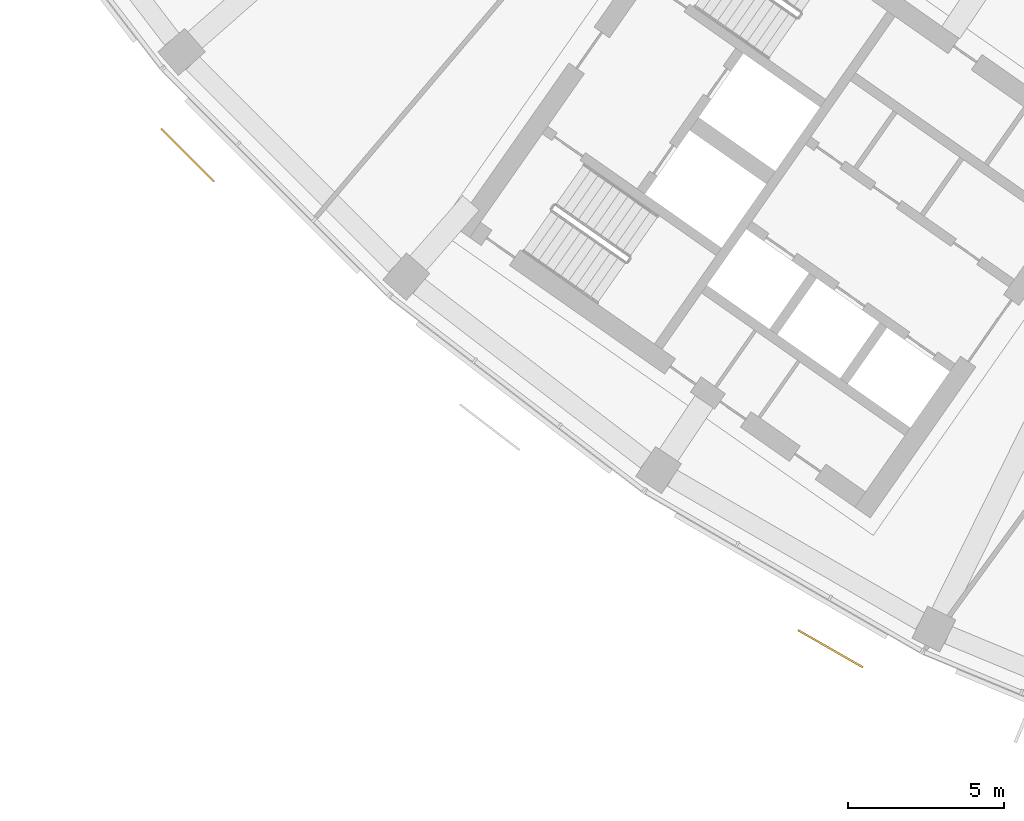
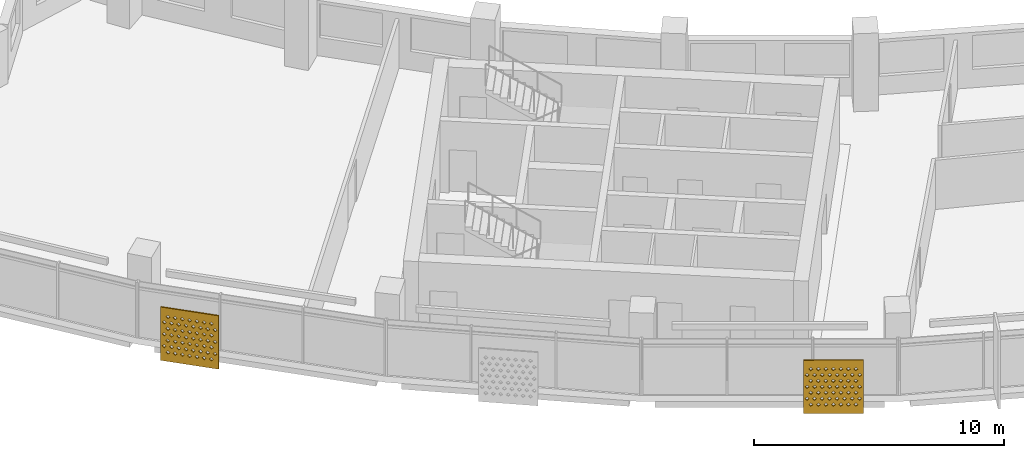
# One storey, part 22 of 27: 2 shading devices.
"""IFC4 building model written with IfcOpenShell, lengths in metres."""

from ifc_helpers import new_model, si_unit, direction, frame, origin, place, context, subcontext, project, spatial, polyline, outline, extrude, material, material_profile, profile_set, type_object, element, save


model = new_model("IFC4")

# Units and contexts
model_context = context("Model", 3, precision=1e-05, world=origin(), true_north=direction((0.0, 1.0)))
body_context = subcontext(model_context, "Body", "Model", "MODEL_VIEW")
ifc_project = project(units=[si_unit("LENGTHUNIT", "METRE"), si_unit("AREAUNIT", "SQUARE_METRE"), si_unit("VOLUMEUNIT", "CUBIC_METRE"), si_unit("PLANEANGLEUNIT", "RADIAN"), si_unit("MASSUNIT", "GRAM", prefix="KILO")], contexts=[model_context])

# Site, building, storey
site_placement = place(None, origin())
site = spatial("IfcSite", under=ifc_project, at=site_placement, CompositionType="ELEMENT")
building_placement = place(site_placement, origin())
building = spatial("IfcBuilding", under=site, at=building_placement, Name="Qamariyya Broadcast Tower", CompositionType="ELEMENT")
storey_placement = place(building_placement, frame((0.0, 0.0, 237.89990234375)))
storey = spatial("IfcBuildingStorey", under=building, at=storey_placement, Name="L57", CompositionType="ELEMENT", Elevation=237.89990234375)

# Shading devices
ifc_material = material(Name="Perforated glazed terracotta", Category="masonry")
ifc_material_profile = material_profile(ifc_material, outline(polyline([(-1.199951171875, -1.300048828125), (1.199951171875, -1.300048828125), (1.199951171875, 1.300048828125), (-1.199951171875, 1.300048828125), (-1.199951171875, -1.300048828125)]), holes=[polyline([(-0.81494140625, -0.86669921875), (-0.89990234375, -0.78173828125), (-0.985107421875, -0.86669921875), (-0.89990234375, -0.95166015625), (-0.81494140625, -0.86669921875)]), polyline([(-0.514892578125, -0.86669921875), (-0.60009765625, -0.78173828125), (-0.68505859375, -0.86669921875), (-0.60009765625, -0.95166015625), (-0.514892578125, -0.86669921875)]), polyline([(-0.215087890625, -0.86669921875), (-0.300048828125, -0.78173828125), (-0.385009765625, -0.86669921875), (-0.300048828125, -0.95166015625), (-0.215087890625, -0.86669921875)]), polyline([(0.0849609375, -0.86669921875), (0.0, -0.78173828125), (-0.0849609375, -0.86669921875), (0.0, -0.95166015625), (0.0849609375, -0.86669921875)]), polyline([(0.385009765625, -0.86669921875), (0.300048828125, -0.78173828125), (0.215087890625, -0.86669921875), (0.300048828125, -0.95166015625), (0.385009765625, -0.86669921875)]), polyline([(0.68505859375, -0.86669921875), (0.60009765625, -0.78173828125), (0.514892578125, -0.86669921875), (0.60009765625, -0.95166015625), (0.68505859375, -0.86669921875)]), polyline([(0.985107421875, -0.86669921875), (0.89990234375, -0.78173828125), (0.81494140625, -0.86669921875), (0.89990234375, -0.95166015625), (0.985107421875, -0.86669921875)]), polyline([(-0.965087890625, -0.577880859375), (-1.050048828125, -0.49267578125), (-1.135009765625, -0.577880859375), (-1.050048828125, -0.662841796875), (-0.965087890625, -0.577880859375)]), polyline([(-0.6650390625, -0.577880859375), (-0.75, -0.49267578125), (-0.8349609375, -0.577880859375), (-0.75, -0.662841796875), (-0.6650390625, -0.577880859375)]), polyline([(-0.364990234375, -0.577880859375), (-0.449951171875, -0.49267578125), (-0.534912109375, -0.577880859375), (-0.449951171875, -0.662841796875), (-0.364990234375, -0.577880859375)]), polyline([(-0.06494140625, -0.577880859375), (-0.14990234375, -0.49267578125), (-0.235107421875, -0.577880859375), (-0.14990234375, -0.662841796875), (-0.06494140625, -0.577880859375)]), polyline([(0.235107421875, -0.577880859375), (0.14990234375, -0.49267578125), (0.06494140625, -0.577880859375), (0.14990234375, -0.662841796875), (0.235107421875, -0.577880859375)]), polyline([(0.534912109375, -0.577880859375), (0.449951171875, -0.49267578125), (0.364990234375, -0.577880859375), (0.449951171875, -0.662841796875), (0.534912109375, -0.577880859375)]), polyline([(0.8349609375, -0.577880859375), (0.75, -0.49267578125), (0.6650390625, -0.577880859375), (0.75, -0.662841796875), (0.8349609375, -0.577880859375)]), polyline([(1.135009765625, -0.577880859375), (1.050048828125, -0.49267578125), (0.965087890625, -0.577880859375), (1.050048828125, -0.662841796875), (1.135009765625, -0.577880859375)]), polyline([(-0.81494140625, -0.288818359375), (-0.89990234375, -0.203857421875), (-0.985107421875, -0.288818359375), (-0.89990234375, -0.373779296875), (-0.81494140625, -0.288818359375)]), polyline([(-0.514892578125, -0.288818359375), (-0.60009765625, -0.203857421875), (-0.68505859375, -0.288818359375), (-0.60009765625, -0.373779296875), (-0.514892578125, -0.288818359375)]), polyline([(-0.215087890625, -0.288818359375), (-0.300048828125, -0.203857421875), (-0.385009765625, -0.288818359375), (-0.300048828125, -0.373779296875), (-0.215087890625, -0.288818359375)]), polyline([(0.0849609375, -0.288818359375), (0.0, -0.203857421875), (-0.0849609375, -0.288818359375), (0.0, -0.373779296875), (0.0849609375, -0.288818359375)]), polyline([(0.385009765625, -0.288818359375), (0.300048828125, -0.203857421875), (0.215087890625, -0.288818359375), (0.300048828125, -0.373779296875), (0.385009765625, -0.288818359375)]), polyline([(0.68505859375, -0.288818359375), (0.60009765625, -0.203857421875), (0.514892578125, -0.288818359375), (0.60009765625, -0.373779296875), (0.68505859375, -0.288818359375)]), polyline([(0.985107421875, -0.288818359375), (0.89990234375, -0.203857421875), (0.81494140625, -0.288818359375), (0.89990234375, -0.373779296875), (0.985107421875, -0.288818359375)]), polyline([(-0.965087890625, 0.0), (-1.050048828125, 0.0849609375), (-1.135009765625, 0.0), (-1.050048828125, -0.0849609375), (-0.965087890625, 0.0)]), polyline([(-0.6650390625, 0.0), (-0.75, 0.0849609375), (-0.8349609375, 0.0), (-0.75, -0.0849609375), (-0.6650390625, 0.0)]), polyline([(-0.364990234375, 0.0), (-0.449951171875, 0.0849609375), (-0.534912109375, 0.0), (-0.449951171875, -0.0849609375), (-0.364990234375, 0.0)]), polyline([(-0.06494140625, 0.0), (-0.14990234375, 0.0849609375), (-0.235107421875, 0.0), (-0.14990234375, -0.0849609375), (-0.06494140625, 0.0)]), polyline([(0.235107421875, 0.0), (0.14990234375, 0.0849609375), (0.06494140625, 0.0), (0.14990234375, -0.0849609375), (0.235107421875, 0.0)]), polyline([(0.534912109375, 0.0), (0.449951171875, 0.0849609375), (0.364990234375, 0.0), (0.449951171875, -0.0849609375), (0.534912109375, 0.0)]), polyline([(0.8349609375, 0.0), (0.75, 0.0849609375), (0.6650390625, 0.0), (0.75, -0.0849609375), (0.8349609375, 0.0)]), polyline([(1.135009765625, 0.0), (1.050048828125, 0.0849609375), (0.965087890625, 0.0), (1.050048828125, -0.0849609375), (1.135009765625, 0.0)]), polyline([(-0.81494140625, 0.288818359375), (-0.89990234375, 0.373779296875), (-0.985107421875, 0.288818359375), (-0.89990234375, 0.203857421875), (-0.81494140625, 0.288818359375)]), polyline([(-0.514892578125, 0.288818359375), (-0.60009765625, 0.373779296875), (-0.68505859375, 0.288818359375), (-0.60009765625, 0.203857421875), (-0.514892578125, 0.288818359375)]), polyline([(-0.215087890625, 0.288818359375), (-0.300048828125, 0.373779296875), (-0.385009765625, 0.288818359375), (-0.300048828125, 0.203857421875), (-0.215087890625, 0.288818359375)]), polyline([(0.0849609375, 0.288818359375), (0.0, 0.373779296875), (-0.0849609375, 0.288818359375), (0.0, 0.203857421875), (0.0849609375, 0.288818359375)]), polyline([(0.385009765625, 0.288818359375), (0.300048828125, 0.373779296875), (0.215087890625, 0.288818359375), (0.300048828125, 0.203857421875), (0.385009765625, 0.288818359375)]), polyline([(0.68505859375, 0.288818359375), (0.60009765625, 0.373779296875), (0.514892578125, 0.288818359375), (0.60009765625, 0.203857421875), (0.68505859375, 0.288818359375)]), polyline([(0.985107421875, 0.288818359375), (0.89990234375, 0.373779296875), (0.81494140625, 0.288818359375), (0.89990234375, 0.203857421875), (0.985107421875, 0.288818359375)]), polyline([(-0.965087890625, 0.577880859375), (-1.050048828125, 0.662841796875), (-1.135009765625, 0.577880859375), (-1.050048828125, 0.49267578125), (-0.965087890625, 0.577880859375)]), polyline([(-0.6650390625, 0.577880859375), (-0.75, 0.662841796875), (-0.8349609375, 0.577880859375), (-0.75, 0.49267578125), (-0.6650390625, 0.577880859375)]), polyline([(-0.364990234375, 0.577880859375), (-0.449951171875, 0.662841796875), (-0.534912109375, 0.577880859375), (-0.449951171875, 0.49267578125), (-0.364990234375, 0.577880859375)]), polyline([(-0.06494140625, 0.577880859375), (-0.14990234375, 0.662841796875), (-0.235107421875, 0.577880859375), (-0.14990234375, 0.49267578125), (-0.06494140625, 0.577880859375)]), polyline([(0.235107421875, 0.577880859375), (0.14990234375, 0.662841796875), (0.06494140625, 0.577880859375), (0.14990234375, 0.49267578125), (0.235107421875, 0.577880859375)]), polyline([(0.534912109375, 0.577880859375), (0.449951171875, 0.662841796875), (0.364990234375, 0.577880859375), (0.449951171875, 0.49267578125), (0.534912109375, 0.577880859375)]), polyline([(0.8349609375, 0.577880859375), (0.75, 0.662841796875), (0.6650390625, 0.577880859375), (0.75, 0.49267578125), (0.8349609375, 0.577880859375)]), polyline([(1.135009765625, 0.577880859375), (1.050048828125, 0.662841796875), (0.965087890625, 0.577880859375), (1.050048828125, 0.49267578125), (1.135009765625, 0.577880859375)]), polyline([(-0.81494140625, 0.86669921875), (-0.89990234375, 0.95166015625), (-0.985107421875, 0.86669921875), (-0.89990234375, 0.78173828125), (-0.81494140625, 0.86669921875)]), polyline([(-0.514892578125, 0.86669921875), (-0.60009765625, 0.95166015625), (-0.68505859375, 0.86669921875), (-0.60009765625, 0.78173828125), (-0.514892578125, 0.86669921875)]), polyline([(-0.215087890625, 0.86669921875), (-0.300048828125, 0.95166015625), (-0.385009765625, 0.86669921875), (-0.300048828125, 0.78173828125), (-0.215087890625, 0.86669921875)]), polyline([(0.0849609375, 0.86669921875), (0.0, 0.95166015625), (-0.0849609375, 0.86669921875), (0.0, 0.78173828125), (0.0849609375, 0.86669921875)]), polyline([(0.385009765625, 0.86669921875), (0.300048828125, 0.95166015625), (0.215087890625, 0.86669921875), (0.300048828125, 0.78173828125), (0.385009765625, 0.86669921875)]), polyline([(0.68505859375, 0.86669921875), (0.60009765625, 0.95166015625), (0.514892578125, 0.86669921875), (0.60009765625, 0.78173828125), (0.68505859375, 0.86669921875)]), polyline([(0.985107421875, 0.86669921875), (0.89990234375, 0.95166015625), (0.81494140625, 0.86669921875), (0.89990234375, 0.78173828125), (0.985107421875, 0.86669921875)])]))
ifc_profile_set = profile_set([ifc_material_profile], Name="Perforated glazed terracotta")
shading_device_type = type_object("IfcShadingDeviceType", Name="Perforated terracotta screen 2400 x 2600", PredefinedType="USERDEFINED", material=ifc_profile_set)
shading_device_1_placement = place(storey_placement, frame((-58.237060546875, -54.548828125, 1.35009765625), z_axis=(-0.707106781187, -0.707106781187, 0.0), x_axis=(0.707106781187, -0.707106781187, 0.0)))
element("IfcShadingDevice", 1, at=shading_device_1_placement, inside=storey, type_object=shading_device_type, Name="e-scr-L57-02-0", ObjectType="SCREEN", PredefinedType="USERDEFINED", context=body_context, shape_type="SweptSolid", body=[
    extrude(outline(polyline([(-1.199951171875, -1.300048828125), (1.199951171875, -1.300048828125), (1.199951171875, 1.300048828125), (-1.199951171875, 1.300048828125), (-1.199951171875, -1.300048828125)]), holes=[polyline([(-0.81494140625, -0.86669921875), (-0.89990234375, -0.78173828125), (-0.985107421875, -0.86669921875), (-0.89990234375, -0.95166015625), (-0.81494140625, -0.86669921875)]), polyline([(-0.514892578125, -0.86669921875), (-0.60009765625, -0.78173828125), (-0.68505859375, -0.86669921875), (-0.60009765625, -0.95166015625), (-0.514892578125, -0.86669921875)]), polyline([(-0.215087890625, -0.86669921875), (-0.300048828125, -0.78173828125), (-0.385009765625, -0.86669921875), (-0.300048828125, -0.95166015625), (-0.215087890625, -0.86669921875)]), polyline([(0.0849609375, -0.86669921875), (0.0, -0.78173828125), (-0.0849609375, -0.86669921875), (0.0, -0.95166015625), (0.0849609375, -0.86669921875)]), polyline([(0.385009765625, -0.86669921875), (0.300048828125, -0.78173828125), (0.215087890625, -0.86669921875), (0.300048828125, -0.95166015625), (0.385009765625, -0.86669921875)]), polyline([(0.68505859375, -0.86669921875), (0.60009765625, -0.78173828125), (0.514892578125, -0.86669921875), (0.60009765625, -0.95166015625), (0.68505859375, -0.86669921875)]), polyline([(0.985107421875, -0.86669921875), (0.89990234375, -0.78173828125), (0.81494140625, -0.86669921875), (0.89990234375, -0.95166015625), (0.985107421875, -0.86669921875)]), polyline([(-0.965087890625, -0.577880859375), (-1.050048828125, -0.49267578125), (-1.135009765625, -0.577880859375), (-1.050048828125, -0.662841796875), (-0.965087890625, -0.577880859375)]), polyline([(-0.6650390625, -0.577880859375), (-0.75, -0.49267578125), (-0.8349609375, -0.577880859375), (-0.75, -0.662841796875), (-0.6650390625, -0.577880859375)]), polyline([(-0.364990234375, -0.577880859375), (-0.449951171875, -0.49267578125), (-0.534912109375, -0.577880859375), (-0.449951171875, -0.662841796875), (-0.364990234375, -0.577880859375)]), polyline([(-0.06494140625, -0.577880859375), (-0.14990234375, -0.49267578125), (-0.235107421875, -0.577880859375), (-0.14990234375, -0.662841796875), (-0.06494140625, -0.577880859375)]), polyline([(0.235107421875, -0.577880859375), (0.14990234375, -0.49267578125), (0.06494140625, -0.577880859375), (0.14990234375, -0.662841796875), (0.235107421875, -0.577880859375)]), polyline([(0.534912109375, -0.577880859375), (0.449951171875, -0.49267578125), (0.364990234375, -0.577880859375), (0.449951171875, -0.662841796875), (0.534912109375, -0.577880859375)]), polyline([(0.8349609375, -0.577880859375), (0.75, -0.49267578125), (0.6650390625, -0.577880859375), (0.75, -0.662841796875), (0.8349609375, -0.577880859375)]), polyline([(1.135009765625, -0.577880859375), (1.050048828125, -0.49267578125), (0.965087890625, -0.577880859375), (1.050048828125, -0.662841796875), (1.135009765625, -0.577880859375)]), polyline([(-0.81494140625, -0.288818359375), (-0.89990234375, -0.203857421875), (-0.985107421875, -0.288818359375), (-0.89990234375, -0.373779296875), (-0.81494140625, -0.288818359375)]), polyline([(-0.514892578125, -0.288818359375), (-0.60009765625, -0.203857421875), (-0.68505859375, -0.288818359375), (-0.60009765625, -0.373779296875), (-0.514892578125, -0.288818359375)]), polyline([(-0.215087890625, -0.288818359375), (-0.300048828125, -0.203857421875), (-0.385009765625, -0.288818359375), (-0.300048828125, -0.373779296875), (-0.215087890625, -0.288818359375)]), polyline([(0.0849609375, -0.288818359375), (0.0, -0.203857421875), (-0.0849609375, -0.288818359375), (0.0, -0.373779296875), (0.0849609375, -0.288818359375)]), polyline([(0.385009765625, -0.288818359375), (0.300048828125, -0.203857421875), (0.215087890625, -0.288818359375), (0.300048828125, -0.373779296875), (0.385009765625, -0.288818359375)]), polyline([(0.68505859375, -0.288818359375), (0.60009765625, -0.203857421875), (0.514892578125, -0.288818359375), (0.60009765625, -0.373779296875), (0.68505859375, -0.288818359375)]), polyline([(0.985107421875, -0.288818359375), (0.89990234375, -0.203857421875), (0.81494140625, -0.288818359375), (0.89990234375, -0.373779296875), (0.985107421875, -0.288818359375)]), polyline([(-0.965087890625, 0.0), (-1.050048828125, 0.0849609375), (-1.135009765625, 0.0), (-1.050048828125, -0.0849609375), (-0.965087890625, 0.0)]), polyline([(-0.6650390625, 0.0), (-0.75, 0.0849609375), (-0.8349609375, 0.0), (-0.75, -0.0849609375), (-0.6650390625, 0.0)]), polyline([(-0.364990234375, 0.0), (-0.449951171875, 0.0849609375), (-0.534912109375, 0.0), (-0.449951171875, -0.0849609375), (-0.364990234375, 0.0)]), polyline([(-0.06494140625, 0.0), (-0.14990234375, 0.0849609375), (-0.235107421875, 0.0), (-0.14990234375, -0.0849609375), (-0.06494140625, 0.0)]), polyline([(0.235107421875, 0.0), (0.14990234375, 0.0849609375), (0.06494140625, 0.0), (0.14990234375, -0.0849609375), (0.235107421875, 0.0)]), polyline([(0.534912109375, 0.0), (0.449951171875, 0.0849609375), (0.364990234375, 0.0), (0.449951171875, -0.0849609375), (0.534912109375, 0.0)]), polyline([(0.8349609375, 0.0), (0.75, 0.0849609375), (0.6650390625, 0.0), (0.75, -0.0849609375), (0.8349609375, 0.0)]), polyline([(1.135009765625, 0.0), (1.050048828125, 0.0849609375), (0.965087890625, 0.0), (1.050048828125, -0.0849609375), (1.135009765625, 0.0)]), polyline([(-0.81494140625, 0.288818359375), (-0.89990234375, 0.373779296875), (-0.985107421875, 0.288818359375), (-0.89990234375, 0.203857421875), (-0.81494140625, 0.288818359375)]), polyline([(-0.514892578125, 0.288818359375), (-0.60009765625, 0.373779296875), (-0.68505859375, 0.288818359375), (-0.60009765625, 0.203857421875), (-0.514892578125, 0.288818359375)]), polyline([(-0.215087890625, 0.288818359375), (-0.300048828125, 0.373779296875), (-0.385009765625, 0.288818359375), (-0.300048828125, 0.203857421875), (-0.215087890625, 0.288818359375)]), polyline([(0.0849609375, 0.288818359375), (0.0, 0.373779296875), (-0.0849609375, 0.288818359375), (0.0, 0.203857421875), (0.0849609375, 0.288818359375)]), polyline([(0.385009765625, 0.288818359375), (0.300048828125, 0.373779296875), (0.215087890625, 0.288818359375), (0.300048828125, 0.203857421875), (0.385009765625, 0.288818359375)]), polyline([(0.68505859375, 0.288818359375), (0.60009765625, 0.373779296875), (0.514892578125, 0.288818359375), (0.60009765625, 0.203857421875), (0.68505859375, 0.288818359375)]), polyline([(0.985107421875, 0.288818359375), (0.89990234375, 0.373779296875), (0.81494140625, 0.288818359375), (0.89990234375, 0.203857421875), (0.985107421875, 0.288818359375)]), polyline([(-0.965087890625, 0.577880859375), (-1.050048828125, 0.662841796875), (-1.135009765625, 0.577880859375), (-1.050048828125, 0.49267578125), (-0.965087890625, 0.577880859375)]), polyline([(-0.6650390625, 0.577880859375), (-0.75, 0.662841796875), (-0.8349609375, 0.577880859375), (-0.75, 0.49267578125), (-0.6650390625, 0.577880859375)]), polyline([(-0.364990234375, 0.577880859375), (-0.449951171875, 0.662841796875), (-0.534912109375, 0.577880859375), (-0.449951171875, 0.49267578125), (-0.364990234375, 0.577880859375)]), polyline([(-0.06494140625, 0.577880859375), (-0.14990234375, 0.662841796875), (-0.235107421875, 0.577880859375), (-0.14990234375, 0.49267578125), (-0.06494140625, 0.577880859375)]), polyline([(0.235107421875, 0.577880859375), (0.14990234375, 0.662841796875), (0.06494140625, 0.577880859375), (0.14990234375, 0.49267578125), (0.235107421875, 0.577880859375)]), polyline([(0.534912109375, 0.577880859375), (0.449951171875, 0.662841796875), (0.364990234375, 0.577880859375), (0.449951171875, 0.49267578125), (0.534912109375, 0.577880859375)]), polyline([(0.8349609375, 0.577880859375), (0.75, 0.662841796875), (0.6650390625, 0.577880859375), (0.75, 0.49267578125), (0.8349609375, 0.577880859375)]), polyline([(1.135009765625, 0.577880859375), (1.050048828125, 0.662841796875), (0.965087890625, 0.577880859375), (1.050048828125, 0.49267578125), (1.135009765625, 0.577880859375)]), polyline([(-0.81494140625, 0.86669921875), (-0.89990234375, 0.95166015625), (-0.985107421875, 0.86669921875), (-0.89990234375, 0.78173828125), (-0.81494140625, 0.86669921875)]), polyline([(-0.514892578125, 0.86669921875), (-0.60009765625, 0.95166015625), (-0.68505859375, 0.86669921875), (-0.60009765625, 0.78173828125), (-0.514892578125, 0.86669921875)]), polyline([(-0.215087890625, 0.86669921875), (-0.300048828125, 0.95166015625), (-0.385009765625, 0.86669921875), (-0.300048828125, 0.78173828125), (-0.215087890625, 0.86669921875)]), polyline([(0.0849609375, 0.86669921875), (0.0, 0.95166015625), (-0.0849609375, 0.86669921875), (0.0, 0.78173828125), (0.0849609375, 0.86669921875)]), polyline([(0.385009765625, 0.86669921875), (0.300048828125, 0.95166015625), (0.215087890625, 0.86669921875), (0.300048828125, 0.78173828125), (0.385009765625, 0.86669921875)]), polyline([(0.68505859375, 0.86669921875), (0.60009765625, 0.95166015625), (0.514892578125, 0.86669921875), (0.60009765625, 0.78173828125), (0.68505859375, 0.86669921875)]), polyline([(0.985107421875, 0.86669921875), (0.89990234375, 0.95166015625), (0.81494140625, 0.86669921875), (0.89990234375, 0.78173828125), (0.985107421875, 0.86669921875)])]), origin(), (0.0, 0.0, 1.0), 0.06005859375),
])
shading_device_2_placement = place(storey_placement, frame((-37.6796875, -70.3349609375, 1.35009765625), z_axis=(-0.497016140981, -0.86774129532, 0.0), x_axis=(0.86774129532, -0.497016140981, 0.0)))
element("IfcShadingDevice", 2, at=shading_device_2_placement, inside=storey, type_object=shading_device_type, Name="e-scr-L57-04-2", ObjectType="SCREEN", PredefinedType="USERDEFINED", context=body_context, shape_type="SweptSolid", body=[
    extrude(outline(polyline([(-1.199951171875, -1.300048828125), (1.199951171875, -1.300048828125), (1.199951171875, 1.300048828125), (-1.199951171875, 1.300048828125), (-1.199951171875, -1.300048828125)]), holes=[polyline([(-0.81494140625, -0.86669921875), (-0.89990234375, -0.78173828125), (-0.985107421875, -0.86669921875), (-0.89990234375, -0.95166015625), (-0.81494140625, -0.86669921875)]), polyline([(-0.514892578125, -0.86669921875), (-0.60009765625, -0.78173828125), (-0.68505859375, -0.86669921875), (-0.60009765625, -0.95166015625), (-0.514892578125, -0.86669921875)]), polyline([(-0.215087890625, -0.86669921875), (-0.300048828125, -0.78173828125), (-0.385009765625, -0.86669921875), (-0.300048828125, -0.95166015625), (-0.215087890625, -0.86669921875)]), polyline([(0.0849609375, -0.86669921875), (0.0, -0.78173828125), (-0.0849609375, -0.86669921875), (0.0, -0.95166015625), (0.0849609375, -0.86669921875)]), polyline([(0.385009765625, -0.86669921875), (0.300048828125, -0.78173828125), (0.215087890625, -0.86669921875), (0.300048828125, -0.95166015625), (0.385009765625, -0.86669921875)]), polyline([(0.68505859375, -0.86669921875), (0.60009765625, -0.78173828125), (0.514892578125, -0.86669921875), (0.60009765625, -0.95166015625), (0.68505859375, -0.86669921875)]), polyline([(0.985107421875, -0.86669921875), (0.89990234375, -0.78173828125), (0.81494140625, -0.86669921875), (0.89990234375, -0.95166015625), (0.985107421875, -0.86669921875)]), polyline([(-0.965087890625, -0.577880859375), (-1.050048828125, -0.49267578125), (-1.135009765625, -0.577880859375), (-1.050048828125, -0.662841796875), (-0.965087890625, -0.577880859375)]), polyline([(-0.6650390625, -0.577880859375), (-0.75, -0.49267578125), (-0.8349609375, -0.577880859375), (-0.75, -0.662841796875), (-0.6650390625, -0.577880859375)]), polyline([(-0.364990234375, -0.577880859375), (-0.449951171875, -0.49267578125), (-0.534912109375, -0.577880859375), (-0.449951171875, -0.662841796875), (-0.364990234375, -0.577880859375)]), polyline([(-0.06494140625, -0.577880859375), (-0.14990234375, -0.49267578125), (-0.235107421875, -0.577880859375), (-0.14990234375, -0.662841796875), (-0.06494140625, -0.577880859375)]), polyline([(0.235107421875, -0.577880859375), (0.14990234375, -0.49267578125), (0.06494140625, -0.577880859375), (0.14990234375, -0.662841796875), (0.235107421875, -0.577880859375)]), polyline([(0.534912109375, -0.577880859375), (0.449951171875, -0.49267578125), (0.364990234375, -0.577880859375), (0.449951171875, -0.662841796875), (0.534912109375, -0.577880859375)]), polyline([(0.8349609375, -0.577880859375), (0.75, -0.49267578125), (0.6650390625, -0.577880859375), (0.75, -0.662841796875), (0.8349609375, -0.577880859375)]), polyline([(1.135009765625, -0.577880859375), (1.050048828125, -0.49267578125), (0.965087890625, -0.577880859375), (1.050048828125, -0.662841796875), (1.135009765625, -0.577880859375)]), polyline([(-0.81494140625, -0.288818359375), (-0.89990234375, -0.203857421875), (-0.985107421875, -0.288818359375), (-0.89990234375, -0.373779296875), (-0.81494140625, -0.288818359375)]), polyline([(-0.514892578125, -0.288818359375), (-0.60009765625, -0.203857421875), (-0.68505859375, -0.288818359375), (-0.60009765625, -0.373779296875), (-0.514892578125, -0.288818359375)]), polyline([(-0.215087890625, -0.288818359375), (-0.300048828125, -0.203857421875), (-0.385009765625, -0.288818359375), (-0.300048828125, -0.373779296875), (-0.215087890625, -0.288818359375)]), polyline([(0.0849609375, -0.288818359375), (0.0, -0.203857421875), (-0.0849609375, -0.288818359375), (0.0, -0.373779296875), (0.0849609375, -0.288818359375)]), polyline([(0.385009765625, -0.288818359375), (0.300048828125, -0.203857421875), (0.215087890625, -0.288818359375), (0.300048828125, -0.373779296875), (0.385009765625, -0.288818359375)]), polyline([(0.68505859375, -0.288818359375), (0.60009765625, -0.203857421875), (0.514892578125, -0.288818359375), (0.60009765625, -0.373779296875), (0.68505859375, -0.288818359375)]), polyline([(0.985107421875, -0.288818359375), (0.89990234375, -0.203857421875), (0.81494140625, -0.288818359375), (0.89990234375, -0.373779296875), (0.985107421875, -0.288818359375)]), polyline([(-0.965087890625, 0.0), (-1.050048828125, 0.0849609375), (-1.135009765625, 0.0), (-1.050048828125, -0.0849609375), (-0.965087890625, 0.0)]), polyline([(-0.6650390625, 0.0), (-0.75, 0.0849609375), (-0.8349609375, 0.0), (-0.75, -0.0849609375), (-0.6650390625, 0.0)]), polyline([(-0.364990234375, 0.0), (-0.449951171875, 0.0849609375), (-0.534912109375, 0.0), (-0.449951171875, -0.0849609375), (-0.364990234375, 0.0)]), polyline([(-0.06494140625, 0.0), (-0.14990234375, 0.0849609375), (-0.235107421875, 0.0), (-0.14990234375, -0.0849609375), (-0.06494140625, 0.0)]), polyline([(0.235107421875, 0.0), (0.14990234375, 0.0849609375), (0.06494140625, 0.0), (0.14990234375, -0.0849609375), (0.235107421875, 0.0)]), polyline([(0.534912109375, 0.0), (0.449951171875, 0.0849609375), (0.364990234375, 0.0), (0.449951171875, -0.0849609375), (0.534912109375, 0.0)]), polyline([(0.8349609375, 0.0), (0.75, 0.0849609375), (0.6650390625, 0.0), (0.75, -0.0849609375), (0.8349609375, 0.0)]), polyline([(1.135009765625, 0.0), (1.050048828125, 0.0849609375), (0.965087890625, 0.0), (1.050048828125, -0.0849609375), (1.135009765625, 0.0)]), polyline([(-0.81494140625, 0.288818359375), (-0.89990234375, 0.373779296875), (-0.985107421875, 0.288818359375), (-0.89990234375, 0.203857421875), (-0.81494140625, 0.288818359375)]), polyline([(-0.514892578125, 0.288818359375), (-0.60009765625, 0.373779296875), (-0.68505859375, 0.288818359375), (-0.60009765625, 0.203857421875), (-0.514892578125, 0.288818359375)]), polyline([(-0.215087890625, 0.288818359375), (-0.300048828125, 0.373779296875), (-0.385009765625, 0.288818359375), (-0.300048828125, 0.203857421875), (-0.215087890625, 0.288818359375)]), polyline([(0.0849609375, 0.288818359375), (0.0, 0.373779296875), (-0.0849609375, 0.288818359375), (0.0, 0.203857421875), (0.0849609375, 0.288818359375)]), polyline([(0.385009765625, 0.288818359375), (0.300048828125, 0.373779296875), (0.215087890625, 0.288818359375), (0.300048828125, 0.203857421875), (0.385009765625, 0.288818359375)]), polyline([(0.68505859375, 0.288818359375), (0.60009765625, 0.373779296875), (0.514892578125, 0.288818359375), (0.60009765625, 0.203857421875), (0.68505859375, 0.288818359375)]), polyline([(0.985107421875, 0.288818359375), (0.89990234375, 0.373779296875), (0.81494140625, 0.288818359375), (0.89990234375, 0.203857421875), (0.985107421875, 0.288818359375)]), polyline([(-0.965087890625, 0.577880859375), (-1.050048828125, 0.662841796875), (-1.135009765625, 0.577880859375), (-1.050048828125, 0.49267578125), (-0.965087890625, 0.577880859375)]), polyline([(-0.6650390625, 0.577880859375), (-0.75, 0.662841796875), (-0.8349609375, 0.577880859375), (-0.75, 0.49267578125), (-0.6650390625, 0.577880859375)]), polyline([(-0.364990234375, 0.577880859375), (-0.449951171875, 0.662841796875), (-0.534912109375, 0.577880859375), (-0.449951171875, 0.49267578125), (-0.364990234375, 0.577880859375)]), polyline([(-0.06494140625, 0.577880859375), (-0.14990234375, 0.662841796875), (-0.235107421875, 0.577880859375), (-0.14990234375, 0.49267578125), (-0.06494140625, 0.577880859375)]), polyline([(0.235107421875, 0.577880859375), (0.14990234375, 0.662841796875), (0.06494140625, 0.577880859375), (0.14990234375, 0.49267578125), (0.235107421875, 0.577880859375)]), polyline([(0.534912109375, 0.577880859375), (0.449951171875, 0.662841796875), (0.364990234375, 0.577880859375), (0.449951171875, 0.49267578125), (0.534912109375, 0.577880859375)]), polyline([(0.8349609375, 0.577880859375), (0.75, 0.662841796875), (0.6650390625, 0.577880859375), (0.75, 0.49267578125), (0.8349609375, 0.577880859375)]), polyline([(1.135009765625, 0.577880859375), (1.050048828125, 0.662841796875), (0.965087890625, 0.577880859375), (1.050048828125, 0.49267578125), (1.135009765625, 0.577880859375)]), polyline([(-0.81494140625, 0.86669921875), (-0.89990234375, 0.95166015625), (-0.985107421875, 0.86669921875), (-0.89990234375, 0.78173828125), (-0.81494140625, 0.86669921875)]), polyline([(-0.514892578125, 0.86669921875), (-0.60009765625, 0.95166015625), (-0.68505859375, 0.86669921875), (-0.60009765625, 0.78173828125), (-0.514892578125, 0.86669921875)]), polyline([(-0.215087890625, 0.86669921875), (-0.300048828125, 0.95166015625), (-0.385009765625, 0.86669921875), (-0.300048828125, 0.78173828125), (-0.215087890625, 0.86669921875)]), polyline([(0.0849609375, 0.86669921875), (0.0, 0.95166015625), (-0.0849609375, 0.86669921875), (0.0, 0.78173828125), (0.0849609375, 0.86669921875)]), polyline([(0.385009765625, 0.86669921875), (0.300048828125, 0.95166015625), (0.215087890625, 0.86669921875), (0.300048828125, 0.78173828125), (0.385009765625, 0.86669921875)]), polyline([(0.68505859375, 0.86669921875), (0.60009765625, 0.95166015625), (0.514892578125, 0.86669921875), (0.60009765625, 0.78173828125), (0.68505859375, 0.86669921875)]), polyline([(0.985107421875, 0.86669921875), (0.89990234375, 0.95166015625), (0.81494140625, 0.86669921875), (0.89990234375, 0.78173828125), (0.985107421875, 0.86669921875)])]), origin(), (0.0, 0.0, 1.0), 0.059814453125),
])

save(model, "model.ifc")
